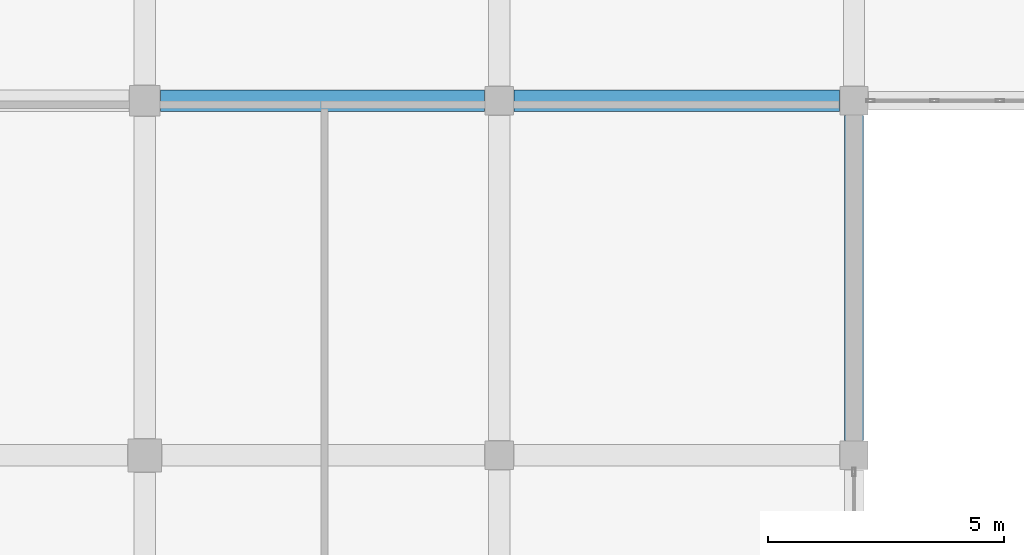
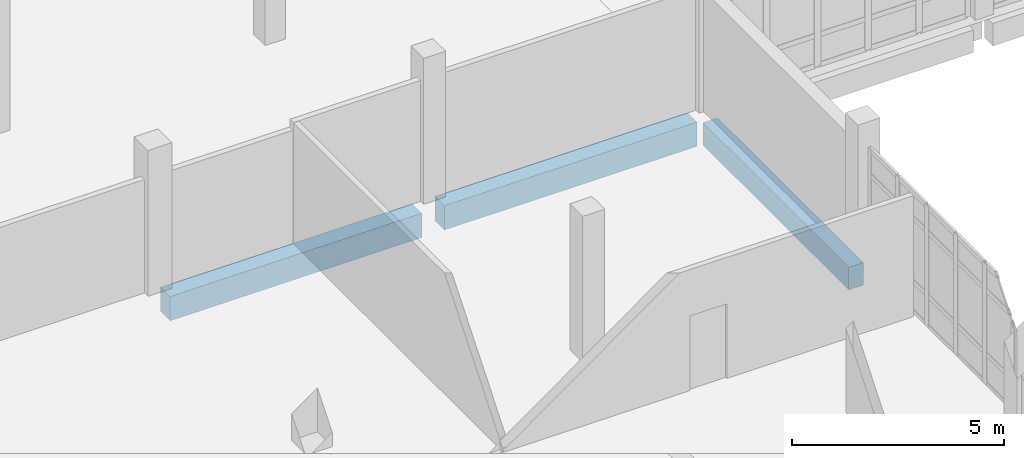
# One storey, part 44 of 164: 3 beams.
"""IFC4 building model written with IfcOpenShell, lengths in metres."""

from ifc_helpers import new_model, si_unit, direction, frame, origin, origin_2d, place, context, subcontext, project, spatial, rectangle, extrude, material, material_profile, profile_set, type_object, element, save


model = new_model("IFC4")

# Units and contexts
model_context = context("Model", 3, precision=1e-05, world=origin(), true_north=direction((0.0, 1.0)))
body_context = subcontext(model_context, "Body", "Model", "MODEL_VIEW")
ifc_project = project(units=[si_unit("LENGTHUNIT", "METRE"), si_unit("AREAUNIT", "SQUARE_METRE"), si_unit("VOLUMEUNIT", "CUBIC_METRE"), si_unit("PLANEANGLEUNIT", "RADIAN"), si_unit("MASSUNIT", "GRAM", prefix="KILO")], contexts=[model_context])

# Site, building, storey
site_placement = place(None, origin())
site = spatial("IfcSite", under=ifc_project, at=site_placement, CompositionType="ELEMENT")
building_placement = place(site_placement, origin())
building = spatial("IfcBuilding", under=site, at=building_placement, Name="Mawjan Specialist Oncology Clinic", CompositionType="ELEMENT")
storey_placement = place(building_placement, frame((0.0, 0.0, 5.0)))
storey = spatial("IfcBuildingStorey", under=building, at=storey_placement, Name="L01", CompositionType="ELEMENT", Elevation=5.0)

# Beams
ifc_material_1 = material(Name="Concrete C40/50", Category="concrete")
ifc_material_profile_1 = material_profile(ifc_material_1, rectangle(XDim=0.449951171875, YDim=0.699951171875, at=origin_2d()), Name="RC BM 450x700", Category="concrete")
ifc_profile_set_1 = profile_set([ifc_material_profile_1], Name="Concrete C40/50")
beam_type_1 = type_object("IfcBeamType", Name="BM-450x700", PredefinedType="BEAM", material=ifc_profile_set_1)
beam_1_placement = place(storey_placement, frame((30.3349609375, 45.800048828125, -0.64990234375), z_axis=(1.0, 0.0, 0.0), x_axis=(0.0, 1.0, 0.0)))
element("IfcBeam", 1, at=beam_1_placement, inside=storey, type_object=beam_type_1, Name="L01 Collector Beam BM-L01-0260", PredefinedType="BEAM", context=body_context, shape_type="SweptSolid", body=[
    extrude(rectangle(XDim=0.449951171875, YDim=0.699951171875, at=origin_2d()), origin(), (0.0, 0.0, 1.0), 6.85498046875),
])
beam_2_placement = place(storey_placement, frame((37.81005859375, 45.800048828125, -0.64990234375), z_axis=(1.0, 0.0, 0.0), x_axis=(0.0, 1.0, 0.0)))
element("IfcBeam", 2, at=beam_2_placement, inside=storey, type_object=beam_type_1, Name="L01 Collector Beam BM-L01-0261", PredefinedType="BEAM", context=body_context, shape_type="SweptSolid", body=[
    extrude(rectangle(XDim=0.449951171875, YDim=0.699951171875, at=origin_2d()), origin(), (0.0, 0.0, 1.0), 6.8798828125),
])
ifc_material_2 = material(Name="Concrete C45/55", Category="concrete")
ifc_material_profile_2 = material_profile(ifc_material_2, rectangle(XDim=0.39990234375, YDim=0.64990234375, at=origin_2d()), Name="RC BM 400x650", Category="concrete")
ifc_profile_set_2 = profile_set([ifc_material_profile_2], Name="Concrete C45/55")
beam_type_2 = type_object("IfcBeamType", Name="SP-400x650", PredefinedType="SPANDREL", material=ifc_profile_set_2)
beam_3_placement = place(storey_placement, frame((45.0, 38.610107421875, -0.625), z_axis=(0.0, 1.0, 0.0), x_axis=(-1.0, 0.0, 0.0)))
element("IfcBeam", 3, at=beam_3_placement, inside=storey, type_object=beam_type_2, Name="L01 Spandrel Beam BM-L01-0474", PredefinedType="SPANDREL", context=body_context, shape_type="SweptSolid", body=[
    extrude(rectangle(XDim=0.39990234375, YDim=0.64990234375, at=origin_2d()), origin(), (0.0, 0.0, 1.0), 6.8798828125),
])

save(model, "model.ifc")
